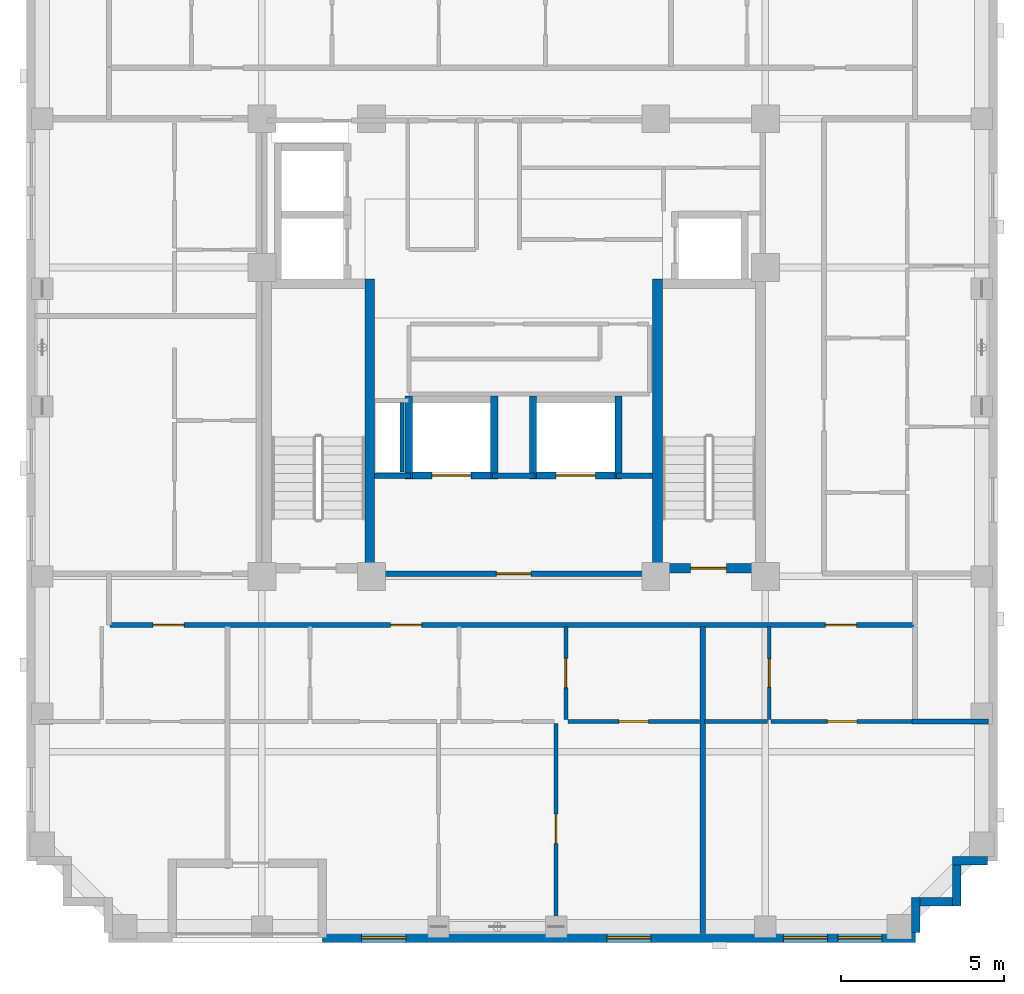
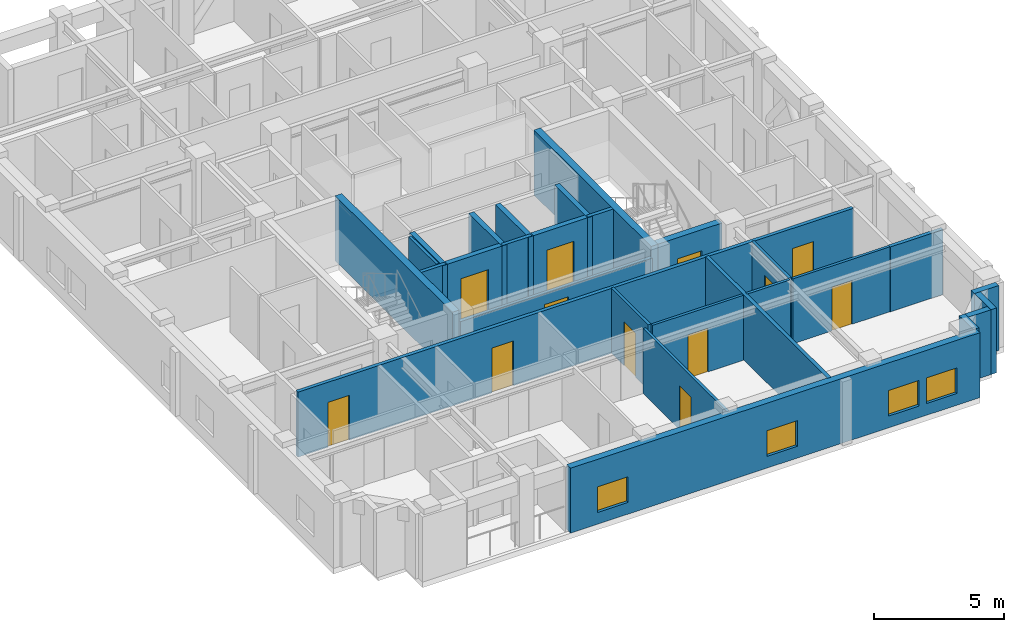
# One storey, part 3 of 10: 28 walls, 12 doors, 4 windows, 16 openings.
"""IFC4 building model written with IfcOpenShell, lengths in metres."""

from ifc_helpers import new_model, si_unit, derived_unit, direction, frame, frame_2d, origin, place, context, subcontext, project, spatial, rectangle, extrude, material, layer, layer_set, type_object, element, fill, save


model = new_model("IFC4")

# Units and contexts
model_context = context("Model", 3, precision=1e-05, world=origin(), true_north=direction((0.0, 1.0)))
body_context = subcontext(model_context, "Body", "Model", "MODEL_VIEW")
ifc_project = project(units=[si_unit("LENGTHUNIT", "METRE"), si_unit("AREAUNIT", "SQUARE_METRE"), si_unit("VOLUMEUNIT", "CUBIC_METRE"), si_unit("PLANEANGLEUNIT", "RADIAN"), si_unit("MASSUNIT", "GRAM", prefix="KILO"), derived_unit("THERMALTRANSMITTANCEUNIT", [(si_unit("MASSUNIT", "GRAM", prefix="KILO"), 1), (si_unit("TIMEUNIT", "SECOND"), -3), (si_unit("THERMODYNAMICTEMPERATUREUNIT", "KELVIN"), -1)])], contexts=[model_context])

# Site, building, storey
site_placement = place(None, origin())
site = spatial("IfcSite", under=ifc_project, at=site_placement, CompositionType="ELEMENT")
building_placement = place(site_placement, origin())
building = spatial("IfcBuilding", under=site, at=building_placement, Name="Korrvale Station Residences", CompositionType="ELEMENT")
storey_placement = place(building_placement, frame((0.0, 0.0, 200.800048828125)))
storey = spatial("IfcBuildingStorey", under=building, at=storey_placement, Name="L58", CompositionType="ELEMENT", Elevation=200.800048828125)

# Walls
ifc_material_1 = material(Name="Concrete C50/60", Category="concrete")
ifc_layer_1 = layer(ifc_material_1, 0.300048828125, Name="Concrete C50/60")
ifc_layer_set_1 = layer_set([ifc_layer_1], Name="Concrete C50/60")
wall_type_1 = type_object("IfcWallType", Name="WAL-CORE-300-C50", PredefinedType="SHEAR", material=ifc_layer_set_1)
for number, where, z_axis, x_axis, name in (
    (1, (21.10009765625, 15.10009765625, 0.0), (0.0, 0.0, 1.0), (0.0, 1.0, 0.0), "L58 ST-1 Core Shear Wall East"),
    (2, (29.89990234375, 15.10009765625, 0.0), (0.0, 0.0, 1.0), (0.0, 1.0, 0.0), "L58 ST-2 Core Shear Wall West"),
):
    element("IfcWall", number, at=place(storey_placement, frame(where, z_axis=z_axis, x_axis=x_axis)), inside=storey, type_object=wall_type_1, Name=name, PredefinedType="SHEAR", context=body_context, shape_type="SweptSolid", body=[
        extrude(rectangle(XDim=9.0, YDim=0.300048828125, at=frame_2d((4.5, 0.0))), origin(), (0.0, 0.0, 1.0), 3.0400390625),
    ])

# Wall, opening, door
wall_1_placement = place(storey_placement, frame((30.050048828125, 15.25, 0.0), z_axis=(0.0, 0.0, 1.0), x_axis=(1.0, 0.0, 0.0)))
wall_1 = element("IfcWall", 3, at=wall_1_placement, inside=storey, type_object=wall_type_1, Name="L58 ST-2 Core Shear Wall South", PredefinedType="SHEAR", context=body_context, shape_type="SweptSolid", body=[
    extrude(rectangle(XDim=2.849853515625, YDim=0.300048828125, at=frame_2d((1.4248046875, 0.0))), origin(), (0.0, 0.0, 1.0), 3.0400390625),
])
opening_1_placement = place(wall_1_placement, frame((0.860107421875, 0.0, 0.0)))
opening_1 = element("IfcOpeningElement", 4, at=opening_1_placement, cuts=wall_1, Name="Opening SD-1100", PredefinedType="OPENING", context=body_context, shape_type="SweptSolid", body=[
    extrude(rectangle(XDim=1.10009765625, YDim=2.050048828125, at=frame_2d((0.550048828125, 1.02490234375))), frame((0.0, 0.16015625, 0.0), z_axis=(0.0, -1.0, 0.0), x_axis=(1.0, 0.0, 0.0)), (0.0, 0.0, 1.0), 0.320068359375),
])
ifc_material_2 = material(Name="Hollow-metal fire-rated stair door with closer", Category="steel")
door_type_1 = type_object("IfcDoorType", Name="DR-STAIR-1100", OperationType="NOTDEFINED", PredefinedType="DOOR", material=ifc_material_2)
door_1_placement = place(opening_1_placement, origin())
door_1 = element("IfcDoor", 5, at=door_1_placement, inside=storey, type_object=door_type_1, Name="L58 ST-2 Exit Stair Door", OperationType="SINGLE_SWING_RIGHT", OverallHeight=2.050048828125, OverallWidth=1.10009765625, PredefinedType="DOOR", context=body_context, shape_type="SweptSolid", body=[
    extrude(rectangle(XDim=1.10009765625, YDim=2.050048828125, at=frame_2d((0.550048828125, 1.02490234375))), frame((0.0, 0.02490234375, 0.0), z_axis=(0.0, -1.0, 0.0), x_axis=(1.0, 0.0, 0.0)), (0.0, 0.0, 1.0), 0.050048828125),
])
fill(opening_1, door_1)

# Walls
ifc_material_3 = material(Name="Precast concrete C45/55", Category="concrete")
ifc_layer_2 = layer(ifc_material_3, 0.260009765625, Name="Precast concrete C45/55")
ifc_layer_set_2 = layer_set([ifc_layer_2], Name="Precast concrete C45/55")
wall_type_2 = type_object("IfcWallType", Name="WAL-EXT-LOG260", PredefinedType="SOLIDWALL", material=ifc_layer_set_2)
wall_2_placement = place(storey_placement, frame((39.998046875, 6.300048828125, 0.0), z_axis=(0.0, 0.0, 1.0), x_axis=(-1.0, 0.0, 0.0)))
element("IfcWall", 6, at=wall_2_placement, inside=storey, type_object=wall_type_2, Name="L58 Serrated Corner Precast Step SE-1", PredefinedType="SOLIDWALL", context=body_context, shape_type="SweptSolid", body=[
    extrude(rectangle(XDim=1.078125, YDim=0.260009765625, at=frame_2d((0.5390625, 0.0))), origin(), (0.0, 0.0, 1.0), 3.0400390625),
])
wall_3_placement = place(storey_placement, frame((39.050048828125, 6.16796875, 0.0), z_axis=(0.0, 0.0, 1.0), x_axis=(0.0, -1.0, 0.0)))
element("IfcWall", 7, at=wall_3_placement, inside=storey, type_object=wall_type_2, Name="L58 Serrated Corner Precast Step SE-2", PredefinedType="SOLIDWALL", context=body_context, shape_type="SweptSolid", body=[
    extrude(rectangle(XDim=1.248046875, YDim=0.260009765625, at=frame_2d((0.6240234375, 0.0))), origin(), (0.0, 0.0, 1.0), 3.0400390625),
])
wall_4_placement = place(storey_placement, frame((38.91796875, 5.050048828125, 0.0), z_axis=(0.0, 0.0, 1.0), x_axis=(-1.0, 0.0, 0.0)))
element("IfcWall", 8, at=wall_4_placement, inside=storey, type_object=wall_type_2, Name="L58 Serrated Corner Precast Step SE-3", PredefinedType="SOLIDWALL", context=body_context, shape_type="SweptSolid", body=[
    extrude(rectangle(XDim=0.986083984375, YDim=0.260009765625, at=frame_2d((0.4931640625, 0.0))), origin(), (0.0, 0.0, 1.0), 3.0400390625),
])
wall_5_placement = place(storey_placement, frame((37.800048828125, 5.179931640625, 0.0), z_axis=(0.0, 0.0, 1.0), x_axis=(0.0, -1.0, 0.0)))
element("IfcWall", 9, at=wall_5_placement, inside=storey, type_object=wall_type_2, Name="L58 Serrated Corner Precast Step SE-4", PredefinedType="SOLIDWALL", context=body_context, shape_type="SweptSolid", body=[
    extrude(rectangle(XDim=1.077880859375, YDim=0.260009765625, at=frame_2d((0.5390625, 0.0))), origin(), (0.0, 0.0, 1.0), 3.0400390625),
])

# Wall, openings, windows
ifc_layer_3 = layer(ifc_material_3, 0.300048828125, Name="Precast concrete C45/55")
ifc_layer_set_3 = layer_set([ifc_layer_3], Name="Precast concrete C45/55")
wall_type_3 = type_object("IfcWallType", Name="WAL-EXT-PC300", PredefinedType="SOLIDWALL", material=ifc_layer_set_3)
wall_6_placement = place(storey_placement, frame((37.800048828125, 3.949951171875, 0.0), z_axis=(0.0, 0.0, 1.0), x_axis=(-1.0, 0.0, 0.0)))
wall_6 = element("IfcWall", 10, at=wall_6_placement, inside=storey, type_object=wall_type_3, Name="L58 South Exterior Precast Wall 1", PredefinedType="SOLIDWALL", context=body_context, shape_type="SweptSolid", body=[
    extrude(rectangle(XDim=18.150146484375, YDim=0.300048828125, at=frame_2d((9.0751953125, 0.0))), origin(), (0.0, 0.0, 1.0), 3.0400390625),
])
opening_2_placement = place(wall_6_placement, frame((15.60009765625, 0.0, 0.550048828125)))
opening_2 = element("IfcOpeningElement", 11, at=opening_2_placement, cuts=wall_6, Name="Opening W-10", PredefinedType="OPENING", context=body_context, shape_type="SweptSolid", body=[
    extrude(rectangle(XDim=1.35009765625, YDim=1.199951171875, at=frame_2d((0.675048828125, 0.60009765625))), frame((0.0, 0.16015625, 0.0), z_axis=(0.0, -1.0, 0.0), x_axis=(1.0, 0.0, 0.0)), (0.0, 0.0, 1.0), 0.320068359375),
])
opening_3_placement = place(wall_6_placement, frame((8.10009765625, 0.0, 0.550048828125)))
opening_3 = element("IfcOpeningElement", 12, at=opening_3_placement, cuts=wall_6, Name="Opening W-10", PredefinedType="OPENING", context=body_context, shape_type="SweptSolid", body=[
    extrude(rectangle(XDim=1.35009765625, YDim=1.199951171875, at=frame_2d((0.675048828125, 0.60009765625))), frame((0.0, 0.16015625, 0.0), z_axis=(0.0, -1.0, 0.0), x_axis=(1.0, 0.0, 0.0)), (0.0, 0.0, 1.0), 0.320068359375),
])
opening_4_placement = place(wall_6_placement, frame((2.699951171875, 0.0, 0.550048828125)))
opening_4 = element("IfcOpeningElement", 13, at=opening_4_placement, cuts=wall_6, Name="Opening W-10", PredefinedType="OPENING", context=body_context, shape_type="SweptSolid", body=[
    extrude(rectangle(XDim=1.35009765625, YDim=1.199951171875, at=frame_2d((0.675048828125, 0.60009765625))), frame((0.0, 0.16015625, 0.0), z_axis=(0.0, -1.0, 0.0), x_axis=(1.0, 0.0, 0.0)), (0.0, 0.0, 1.0), 0.320068359375),
])
opening_5_placement = place(wall_6_placement, frame((1.034912109375, 0.0, 0.550048828125)))
opening_5 = element("IfcOpeningElement", 14, at=opening_5_placement, cuts=wall_6, Name="Opening W-10", PredefinedType="OPENING", context=body_context, shape_type="SweptSolid", body=[
    extrude(rectangle(XDim=1.35009765625, YDim=1.199951171875, at=frame_2d((0.675048828125, 0.60009765625))), frame((0.0, 0.16015625, 0.0), z_axis=(0.0, -1.0, 0.0), x_axis=(1.0, 0.0, 0.0)), (0.0, 0.0, 1.0), 0.320068359375),
])
ifc_material_4 = material(Name="Thermally broken aluminium frame with triple low-e glazing", Category="aluminium")
window_type = type_object("IfcWindowType", Name="WIN-W10", PartitioningType="SINGLE_PANEL", PredefinedType="WINDOW", material=ifc_material_4)
window_1_placement = place(opening_2_placement, origin())
window_1 = element("IfcWindow", 15, at=window_1_placement, inside=storey, type_object=window_type, Name="L58 Punched Window 02", OverallHeight=1.199951171875, OverallWidth=1.35009765625, PartitioningType="SINGLE_PANEL", PredefinedType="WINDOW", context=body_context, shape_type="SweptSolid", body=[
    extrude(rectangle(XDim=1.35009765625, YDim=1.199951171875, at=frame_2d((0.675048828125, 0.60009765625))), frame((0.0, 0.030029296875, 0.0), z_axis=(0.0, -1.0, 0.0), x_axis=(1.0, 0.0, 0.0)), (0.0, 0.0, 1.0), 0.06005859375),
])
fill(opening_2, window_1)
window_2_placement = place(opening_3_placement, origin())
window_2 = element("IfcWindow", 16, at=window_2_placement, inside=storey, type_object=window_type, Name="L58 Punched Window 03", OverallHeight=1.199951171875, OverallWidth=1.35009765625, PartitioningType="SINGLE_PANEL", PredefinedType="WINDOW", context=body_context, shape_type="SweptSolid", body=[
    extrude(rectangle(XDim=1.35009765625, YDim=1.199951171875, at=frame_2d((0.675048828125, 0.60009765625))), frame((0.0, 0.030029296875, 0.0), z_axis=(0.0, -1.0, 0.0), x_axis=(1.0, 0.0, 0.0)), (0.0, 0.0, 1.0), 0.06005859375),
])
fill(opening_3, window_2)
window_3_placement = place(opening_4_placement, origin())
window_3 = element("IfcWindow", 17, at=window_3_placement, inside=storey, type_object=window_type, Name="L58 Punched Window 04", OverallHeight=1.199951171875, OverallWidth=1.35009765625, PartitioningType="SINGLE_PANEL", PredefinedType="WINDOW", context=body_context, shape_type="SweptSolid", body=[
    extrude(rectangle(XDim=1.35009765625, YDim=1.199951171875, at=frame_2d((0.675048828125, 0.60009765625))), frame((0.0, 0.030029296875, 0.0), z_axis=(0.0, -1.0, 0.0), x_axis=(1.0, 0.0, 0.0)), (0.0, 0.0, 1.0), 0.06005859375),
])
fill(opening_4, window_3)
window_4_placement = place(opening_5_placement, origin())
window_4 = element("IfcWindow", 18, at=window_4_placement, inside=storey, type_object=window_type, Name="L58 Punched Window 05", OverallHeight=1.199951171875, OverallWidth=1.35009765625, PartitioningType="SINGLE_PANEL", PredefinedType="WINDOW", context=body_context, shape_type="SweptSolid", body=[
    extrude(rectangle(XDim=1.35009765625, YDim=1.199951171875, at=frame_2d((0.675048828125, 0.60009765625))), frame((0.0, 0.030029296875, 0.0), z_axis=(0.0, -1.0, 0.0), x_axis=(1.0, 0.0, 0.0)), (0.0, 0.0, 1.0), 0.06005859375),
])
fill(opening_5, window_4)

# Wall
ifc_material_5 = material(Name="Acoustic steel-stud gypsum board partition", Category="steel")
ifc_layer_4 = layer(ifc_material_5, 0.1201171875, Name="Acoustic steel-stud gypsum board partition")
ifc_layer_set_4 = layer_set([ifc_layer_4], Name="Acoustic steel-stud gypsum board partition")
wall_type_4 = type_object("IfcWallType", Name="WAL-PART-125", PredefinedType="PARTITIONING", material=ifc_layer_set_4)
wall_7_placement = place(storey_placement, frame((22.080078125, 18.199951171875, 0.0), z_axis=(0.0, 0.0, 1.0), x_axis=(0.0, 1.0, 0.0)))
element("IfcWall", 19, at=wall_7_placement, inside=storey, type_object=wall_type_4, Name="L58 Core Partition CW-RSWT", PredefinedType="PARTITIONING", context=body_context, shape_type="SweptSolid", body=[
    extrude(rectangle(XDim=2.1201171875, YDim=0.1201171875, at=frame_2d((1.06005859375, 0.0))), origin(), (0.0, 0.0, 1.0), 3.0400390625),
])

# Wall, opening, door
wall_8_placement = place(storey_placement, frame((27.095947265625, 10.6201171875, 0.0), z_axis=(0.0, 0.0, 1.0), x_axis=(0.0, 1.0, 0.0)))
wall_8 = element("IfcWall", 20, at=wall_8_placement, inside=storey, type_object=wall_type_4, Name="L58 Suite Partition U02-V23", PredefinedType="PARTITIONING", context=body_context, shape_type="SweptSolid", body=[
    extrude(rectangle(XDim=2.849853515625, YDim=0.1201171875, at=frame_2d((1.4248046875, 0.0))), origin(), (0.0, 0.0, 1.0), 3.0400390625),
])
opening_6_placement = place(wall_8_placement, frame((0.97509765625, 0.0, 0.0)))
opening_6 = element("IfcOpeningElement", 21, at=opening_6_placement, cuts=wall_8, Name="Opening DI-900", PredefinedType="OPENING", context=body_context, shape_type="SweptSolid", body=[
    extrude(rectangle(XDim=0.89990234375, YDim=2.050048828125, at=frame_2d((0.449951171875, 1.02490234375))), frame((0.0, 0.070068359375, 0.0), z_axis=(0.0, -1.0, 0.0), x_axis=(1.0, 0.0, 0.0)), (0.0, 0.0, 1.0), 0.14013671875),
])
ifc_material_6 = material(Name="Painted solid-core timber interior room door", Category="wood")
door_type_2 = type_object("IfcDoorType", Name="DR-INT-900", OperationType="NOTDEFINED", PredefinedType="DOOR", material=ifc_material_6)
door_2_placement = place(opening_6_placement, origin())
door_2 = element("IfcDoor", 22, at=door_2_placement, inside=storey, type_object=door_type_2, Name="L58 Apartment 1BR L58-U02 Home Study Room Door", OperationType="SINGLE_SWING_RIGHT", OverallHeight=2.050048828125, OverallWidth=0.89990234375, PredefinedType="DOOR", context=body_context, shape_type="SweptSolid", body=[
    extrude(rectangle(XDim=0.89990234375, YDim=2.050048828125, at=frame_2d((0.449951171875, 1.02490234375))), frame((0.0, 0.02490234375, 0.0), z_axis=(0.0, -1.0, 0.0), x_axis=(1.0, 0.0, 0.0)), (0.0, 0.0, 1.0), 0.050048828125),
])
fill(opening_6, door_2)

wall_9_placement = place(storey_placement, frame((27.156005859375, 10.56005859375, 0.0), z_axis=(0.0, 0.0, 1.0), x_axis=(1.0, 0.0, 0.0)))
wall_9 = element("IfcWall", 23, at=wall_9_placement, inside=storey, type_object=wall_type_4, Name="L58 Suite Partition U02-H36", PredefinedType="PARTITIONING", context=body_context, shape_type="SweptSolid", body=[
    extrude(rectangle(XDim=4.030029296875, YDim=0.1201171875, at=frame_2d((2.01513671875, 0.0))), origin(), (0.0, 0.0, 1.0), 3.0400390625),
])
opening_7_placement = place(wall_9_placement, frame((1.56494140625, 0.0, 0.0)))
opening_7 = element("IfcOpeningElement", 24, at=opening_7_placement, cuts=wall_9, Name="Opening DI-900", PredefinedType="OPENING", context=body_context, shape_type="SweptSolid", body=[
    extrude(rectangle(XDim=0.89990234375, YDim=2.050048828125, at=frame_2d((0.449951171875, 1.02490234375))), frame((0.0, 0.070068359375, 0.0), z_axis=(0.0, -1.0, 0.0), x_axis=(1.0, 0.0, 0.0)), (0.0, 0.0, 1.0), 0.14013671875),
])
door_3_placement = place(opening_7_placement, origin())
door_3 = element("IfcDoor", 25, at=door_3_placement, inside=storey, type_object=door_type_2, Name="L58 Apartment 1BR L58-U02 Home Study Room Door", OperationType="SINGLE_SWING_RIGHT", OverallHeight=2.050048828125, OverallWidth=0.89990234375, PredefinedType="DOOR", context=body_context, shape_type="SweptSolid", body=[
    extrude(rectangle(XDim=0.89990234375, YDim=2.050048828125, at=frame_2d((0.449951171875, 1.02490234375))), frame((0.0, 0.02490234375, 0.0), z_axis=(0.0, -1.0, 0.0), x_axis=(1.0, 0.0, 0.0)), (0.0, 0.0, 1.0), 0.050048828125),
])
fill(opening_7, door_3)

wall_10_placement = place(storey_placement, frame((26.800048828125, 4.080078125, 0.0), z_axis=(0.0, 0.0, 1.0), x_axis=(0.0, 1.0, 0.0)))
wall_10 = element("IfcWall", 26, at=wall_10_placement, inside=storey, type_object=wall_type_4, Name="L58 Suite Partition U02-V56", PredefinedType="PARTITIONING", context=body_context, shape_type="SweptSolid", body=[
    extrude(rectangle(XDim=6.419921875, YDim=0.1201171875, at=frame_2d((3.2099609375, 0.0))), origin(), (0.0, 0.0, 1.0), 3.0400390625),
])
opening_8_placement = place(wall_10_placement, frame((2.7451171875, 0.0, 0.0)))
opening_8 = element("IfcOpeningElement", 27, at=opening_8_placement, cuts=wall_10, Name="Opening DI-900", PredefinedType="OPENING", context=body_context, shape_type="SweptSolid", body=[
    extrude(rectangle(XDim=0.89990234375, YDim=2.050048828125, at=frame_2d((0.449951171875, 1.02490234375))), frame((0.0, 0.070068359375, 0.0), z_axis=(0.0, -1.0, 0.0), x_axis=(1.0, 0.0, 0.0)), (0.0, 0.0, 1.0), 0.14013671875),
])
door_4_placement = place(opening_8_placement, origin())
door_4 = element("IfcDoor", 28, at=door_4_placement, inside=storey, type_object=door_type_2, Name="L58 Apartment 1BR L58-U02 Wardrobe Storage Room Door", OperationType="SINGLE_SWING_RIGHT", OverallHeight=2.050048828125, OverallWidth=0.89990234375, PredefinedType="DOOR", context=body_context, shape_type="SweptSolid", body=[
    extrude(rectangle(XDim=0.89990234375, YDim=2.050048828125, at=frame_2d((0.449951171875, 1.02490234375))), frame((0.0, 0.02490234375, 0.0), z_axis=(0.0, -1.0, 0.0), x_axis=(1.0, 0.0, 0.0)), (0.0, 0.0, 1.0), 0.050048828125),
])
fill(opening_8, door_4)

wall_11_placement = place(storey_placement, frame((33.318115234375, 10.6201171875, 0.0), z_axis=(0.0, 0.0, 1.0), x_axis=(0.0, 1.0, 0.0)))
wall_11 = element("IfcWall", 29, at=wall_11_placement, inside=storey, type_object=wall_type_4, Name="L58 Suite Partition U03-V01", PredefinedType="PARTITIONING", context=body_context, shape_type="SweptSolid", body=[
    extrude(rectangle(XDim=2.849853515625, YDim=0.1201171875, at=frame_2d((1.4248046875, 0.0))), origin(), (0.0, 0.0, 1.0), 3.0400390625),
])
opening_9_placement = place(wall_11_placement, frame((0.9951171875, 0.0, 0.0)))
opening_9 = element("IfcOpeningElement", 30, at=opening_9_placement, cuts=wall_11, Name="Opening DB-860", PredefinedType="OPENING", context=body_context, shape_type="SweptSolid", body=[
    extrude(rectangle(XDim=0.860107421875, YDim=2.050048828125, at=frame_2d((0.43017578125, 1.02490234375))), frame((0.0, 0.070068359375, 0.0), z_axis=(0.0, -1.0, 0.0), x_axis=(1.0, 0.0, 0.0)), (0.0, 0.0, 1.0), 0.14013671875),
])
ifc_material_7 = material(Name="Moisture-resistant solid-core bathroom door", Category="timber")
door_type_3 = type_object("IfcDoorType", Name="DR-BATH-860", OperationType="NOTDEFINED", PredefinedType="DOOR", material=ifc_material_7)
door_5_placement = place(opening_9_placement, origin())
door_5 = element("IfcDoor", 31, at=door_5_placement, inside=storey, type_object=door_type_3, Name="L58 Studio Apartment L58-U03 Bathroom Door", OperationType="SINGLE_SWING_LEFT", OverallHeight=2.050048828125, OverallWidth=0.860107421875, PredefinedType="DOOR", context=body_context, shape_type="SweptSolid", body=[
    extrude(rectangle(XDim=0.860107421875, YDim=2.050048828125, at=frame_2d((0.43017578125, 1.02490234375))), frame((0.0, 0.02490234375, 0.0), z_axis=(0.0, -1.0, 0.0), x_axis=(1.0, 0.0, 0.0)), (0.0, 0.0, 1.0), 0.050048828125),
])
fill(opening_9, door_5)

# Wall
wall_12_placement = place(storey_placement, frame((31.345947265625, 10.56005859375, 0.0), z_axis=(0.0, 0.0, 1.0), x_axis=(1.0, 0.0, 0.0)))
element("IfcWall", 32, at=wall_12_placement, inside=storey, type_object=wall_type_4, Name="L58 Suite Partition U03-H02", PredefinedType="PARTITIONING", context=body_context, shape_type="SweptSolid", body=[
    extrude(rectangle(XDim=1.912109375, YDim=0.1201171875, at=frame_2d((0.9560546875, 0.0))), origin(), (0.0, 0.0, 1.0), 3.0400390625),
])

# Wall, opening, door
wall_13_placement = place(storey_placement, frame((33.3779296875, 10.56005859375, 0.0), z_axis=(0.0, 0.0, 1.0), x_axis=(1.0, 0.0, 0.0)))
wall_13 = element("IfcWall", 33, at=wall_13_placement, inside=storey, type_object=wall_type_4, Name="L58 Suite Partition U03-H12", PredefinedType="PARTITIONING", context=body_context, shape_type="SweptSolid", body=[
    extrude(rectangle(XDim=4.342041015625, YDim=0.1201171875, at=frame_2d((2.1708984375, 0.0))), origin(), (0.0, 0.0, 1.0), 3.0400390625),
])
opening_10_placement = place(wall_13_placement, frame((1.720947265625, 0.0, 0.0)))
opening_10 = element("IfcOpeningElement", 34, at=opening_10_placement, cuts=wall_13, Name="Opening DI-900", PredefinedType="OPENING", context=body_context, shape_type="SweptSolid", body=[
    extrude(rectangle(XDim=0.89990234375, YDim=2.050048828125, at=frame_2d((0.449951171875, 1.02490234375))), frame((0.0, 0.070068359375, 0.0), z_axis=(0.0, -1.0, 0.0), x_axis=(1.0, 0.0, 0.0)), (0.0, 0.0, 1.0), 0.14013671875),
])
door_6_placement = place(opening_10_placement, origin())
door_6 = element("IfcDoor", 35, at=door_6_placement, inside=storey, type_object=door_type_2, Name="L58 Studio Apartment L58-U03 Kitchen Door", OperationType="SINGLE_SWING_RIGHT", OverallHeight=2.050048828125, OverallWidth=0.89990234375, PredefinedType="DOOR", context=body_context, shape_type="SweptSolid", body=[
    extrude(rectangle(XDim=0.89990234375, YDim=2.050048828125, at=frame_2d((0.449951171875, 1.02490234375))), frame((0.0, 0.02490234375, 0.0), z_axis=(0.0, -1.0, 0.0), x_axis=(1.0, 0.0, 0.0)), (0.0, 0.0, 1.0), 0.050048828125),
])
fill(opening_10, door_6)

ifc_material_8 = material(Name="Fire-rated twin-stud gypsum and mineral wool shaftwall assembly", Category="gypsum")
ifc_layer_5 = layer(ifc_material_8, 0.159912109375, Name="Fire-rated twin-stud gypsum and mineral wool shaftwall assembly")
ifc_layer_set_5 = layer_set([ifc_layer_5], Name="Fire-rated twin-stud gypsum and mineral wool shaftwall assembly")
wall_type_5 = type_object("IfcWallType", Name="WAL-PART-200", PredefinedType="PARTITIONING", material=ifc_layer_set_5)
wall_14_placement = place(storey_placement, frame((21.25, 15.080078125, 0.0), z_axis=(0.0, 0.0, 1.0), x_axis=(1.0, 0.0, 0.0)))
wall_14 = element("IfcWall", 36, at=wall_14_placement, inside=storey, type_object=wall_type_5, Name="L58 Core Partition CW-FFL-S", PredefinedType="PARTITIONING", context=body_context, shape_type="SweptSolid", body=[
    extrude(rectangle(XDim=8.5, YDim=0.159912109375, at=frame_2d((4.25, 0.0))), origin(), (0.0, 0.0, 1.0), 2.555908203125),
])
opening_11_placement = place(wall_14_placement, frame((3.72509765625, 0.0, 0.0)))
opening_11 = element("IfcOpeningElement", 37, at=opening_11_placement, cuts=wall_14, Name="Opening FD-1050", PredefinedType="OPENING", context=body_context, shape_type="SweptSolid", body=[
    extrude(rectangle(XDim=1.050048828125, YDim=2.050048828125, at=frame_2d((0.52490234375, 1.02490234375))), frame((0.0, 0.08984375, 0.0), z_axis=(0.0, -1.0, 0.0), x_axis=(1.0, 0.0, 0.0)), (0.0, 0.0, 1.0), 0.179931640625),
])
ifc_material_9 = material(Name="Fire-rated mineral-core timber lobby door", Category="wood")
door_type_4 = type_object("IfcDoorType", Name="DR-CORE-1050", OperationType="NOTDEFINED", PredefinedType="DOOR", material=ifc_material_9)
door_7_placement = place(opening_11_placement, origin())
door_7 = element("IfcDoor", 38, at=door_7_placement, inside=storey, type_object=door_type_4, Name="L58 Firefighting Lobby Entry Door", OperationType="SINGLE_SWING_RIGHT", OverallHeight=2.050048828125, OverallWidth=1.050048828125, PredefinedType="DOOR", context=body_context, shape_type="SweptSolid", body=[
    extrude(rectangle(XDim=1.050048828125, YDim=2.050048828125, at=frame_2d((0.52490234375, 1.02490234375))), frame((0.0, 0.02490234375, 0.0), z_axis=(0.0, -1.0, 0.0), x_axis=(1.0, 0.0, 0.0)), (0.0, 0.0, 1.0), 0.050048828125),
])
fill(opening_11, door_7)

# Walls
wall_15_placement = place(storey_placement, frame((21.25, 18.080078125, 0.0), z_axis=(0.0, 0.0, 1.0), x_axis=(1.0, 0.0, 0.0)))
element("IfcWall", 39, at=wall_15_placement, inside=storey, type_object=wall_type_5, Name="L58 Core Partition CW-FFL-N1", PredefinedType="PARTITIONING", context=body_context, shape_type="SweptSolid", body=[
    extrude(rectangle(XDim=1.10009765625, YDim=0.159912109375, at=frame_2d((0.550048828125, 0.0))), origin(), (0.0, 0.0, 1.0), 3.0400390625),
])
wall_16_placement = place(storey_placement, frame((24.85009765625, 18.080078125, 0.0), z_axis=(0.0, 0.0, 1.0), x_axis=(1.0, 0.0, 0.0)))
element("IfcWall", 40, at=wall_16_placement, inside=storey, type_object=wall_type_5, Name="L58 Core Partition CW-FFL-N2", PredefinedType="PARTITIONING", context=body_context, shape_type="SweptSolid", body=[
    extrude(rectangle(XDim=1.2998046875, YDim=0.159912109375, at=frame_2d((0.64990234375, 0.0))), origin(), (0.0, 0.0, 1.0), 3.0400390625),
])
wall_17_placement = place(storey_placement, frame((28.64990234375, 18.080078125, 0.0), z_axis=(0.0, 0.0, 1.0), x_axis=(1.0, 0.0, 0.0)))
element("IfcWall", 41, at=wall_17_placement, inside=storey, type_object=wall_type_5, Name="L58 Core Partition CW-FFL-N3", PredefinedType="PARTITIONING", context=body_context, shape_type="SweptSolid", body=[
    extrude(rectangle(XDim=1.10009765625, YDim=0.159912109375, at=frame_2d((0.550048828125, 0.0))), origin(), (0.0, 0.0, 1.0), 3.0400390625),
])
wall_18_placement = place(storey_placement, frame((37.679931640625, 10.56005859375, 0.0), z_axis=(0.0, 0.0, 1.0), x_axis=(1.0, 0.0, 0.0)))
element("IfcWall", 42, at=wall_18_placement, inside=storey, type_object=wall_type_5, Name="L58 Corner Step Wall U03-R", PredefinedType="PARTITIONING", context=body_context, shape_type="SweptSolid", body=[
    extrude(rectangle(XDim=2.340087890625, YDim=0.159912109375, at=frame_2d((1.169921875, 0.0))), origin(), (0.0, 0.0, 1.0), 3.0400390625),
])
wall_19_placement = place(storey_placement, frame((31.285888671875, 4.080078125, 0.0), z_axis=(0.0, 0.0, 1.0), x_axis=(0.0, 1.0, 0.0)))
element("IfcWall", 43, at=wall_19_placement, inside=storey, type_object=wall_type_5, Name="L58 Demising Wall U03-W", PredefinedType="PARTITIONING", context=body_context, shape_type="SweptSolid", body=[
    extrude(rectangle(XDim=9.389892578125, YDim=0.159912109375, at=frame_2d((4.69482421875, 0.0))), origin(), (0.0, 0.0, 1.0), 3.0400390625),
])

# Wall, openings, doors
wall_20_placement = place(storey_placement, frame((13.14990234375, 13.510009765625, 0.0), z_axis=(0.0, 0.0, 1.0), x_axis=(1.0, 0.0, 0.0)))
wall_20 = element("IfcWall", 44, at=wall_20_placement, inside=storey, type_object=wall_type_5, Name="L58 Rated Corridor Wall S", PredefinedType="PARTITIONING", context=body_context, shape_type="SweptSolid", body=[
    extrude(rectangle(XDim=24.60009765625, YDim=0.159912109375, at=frame_2d((12.300048828125, 0.0))), origin(), (0.0, 0.0, 1.0), 3.0400390625),
])
opening_12_placement = place(wall_20_placement, frame((1.322998046875, 0.0, 0.0)))
opening_12 = element("IfcOpeningElement", 45, at=opening_12_placement, cuts=wall_20, Name="Opening UD-950", PredefinedType="OPENING", context=body_context, shape_type="SweptSolid", body=[
    extrude(rectangle(XDim=0.949951171875, YDim=2.10009765625, at=frame_2d((0.47509765625, 1.050048828125))), frame((0.0, 0.08984375, 0.0), z_axis=(0.0, -1.0, 0.0), x_axis=(1.0, 0.0, 0.0)), (0.0, 0.0, 1.0), 0.179931640625),
])
opening_13_placement = place(wall_20_placement, frame((8.5849609375, 0.0, 0.0)))
opening_13 = element("IfcOpeningElement", 46, at=opening_13_placement, cuts=wall_20, Name="Opening UD-950", PredefinedType="OPENING", context=body_context, shape_type="SweptSolid", body=[
    extrude(rectangle(XDim=0.949951171875, YDim=2.10009765625, at=frame_2d((0.47509765625, 1.050048828125))), frame((0.0, 0.08984375, 0.0), z_axis=(0.0, -1.0, 0.0), x_axis=(1.0, 0.0, 0.0)), (0.0, 0.0, 1.0), 0.179931640625),
])
opening_14_placement = place(wall_20_placement, frame((21.888916015625, 0.0, 0.0)))
opening_14 = element("IfcOpeningElement", 47, at=opening_14_placement, cuts=wall_20, Name="Opening UD-950", PredefinedType="OPENING", context=body_context, shape_type="SweptSolid", body=[
    extrude(rectangle(XDim=0.949951171875, YDim=2.10009765625, at=frame_2d((0.47509765625, 1.050048828125))), frame((0.0, 0.08984375, 0.0), z_axis=(0.0, -1.0, 0.0), x_axis=(1.0, 0.0, 0.0)), (0.0, 0.0, 1.0), 0.179931640625),
])
ifc_material_10 = material(Name="Solid-core acoustic oak apartment entrance door", Category="timber")
door_type_5 = type_object("IfcDoorType", Name="DR-UNIT-950", OperationType="NOTDEFINED", PredefinedType="DOOR", material=ifc_material_10)
door_8_placement = place(opening_12_placement, origin())
door_8 = element("IfcDoor", 48, at=door_8_placement, inside=storey, type_object=door_type_5, Name="L58 Apartment L58-U01 Entrance Door", OperationType="SINGLE_SWING_LEFT", OverallHeight=2.10009765625, OverallWidth=0.949951171875, PredefinedType="DOOR", context=body_context, shape_type="SweptSolid", body=[
    extrude(rectangle(XDim=0.949951171875, YDim=2.10009765625, at=frame_2d((0.47509765625, 1.050048828125))), frame((0.0, 0.02490234375, 0.0), z_axis=(0.0, -1.0, 0.0), x_axis=(1.0, 0.0, 0.0)), (0.0, 0.0, 1.0), 0.050048828125),
])
fill(opening_12, door_8)
door_9_placement = place(opening_13_placement, origin())
door_9 = element("IfcDoor", 49, at=door_9_placement, inside=storey, type_object=door_type_5, Name="L58 Apartment L58-U02 Entrance Door", OperationType="SINGLE_SWING_RIGHT", OverallHeight=2.10009765625, OverallWidth=0.949951171875, PredefinedType="DOOR", context=body_context, shape_type="SweptSolid", body=[
    extrude(rectangle(XDim=0.949951171875, YDim=2.10009765625, at=frame_2d((0.47509765625, 1.050048828125))), frame((0.0, 0.02490234375, 0.0), z_axis=(0.0, -1.0, 0.0), x_axis=(1.0, 0.0, 0.0)), (0.0, 0.0, 1.0), 0.050048828125),
])
fill(opening_13, door_9)
door_10_placement = place(opening_14_placement, origin())
door_10 = element("IfcDoor", 50, at=door_10_placement, inside=storey, type_object=door_type_5, Name="L58 Apartment L58-U03 Entrance Door", OperationType="SINGLE_SWING_LEFT", OverallHeight=2.10009765625, OverallWidth=0.949951171875, PredefinedType="DOOR", context=body_context, shape_type="SweptSolid", body=[
    extrude(rectangle(XDim=0.949951171875, YDim=2.10009765625, at=frame_2d((0.47509765625, 1.050048828125))), frame((0.0, 0.02490234375, 0.0), z_axis=(0.0, -1.0, 0.0), x_axis=(1.0, 0.0, 0.0)), (0.0, 0.0, 1.0), 0.050048828125),
])
fill(opening_14, door_10)

# Wall, opening, door
ifc_layer_6 = layer(ifc_material_1, 0.219970703125, Name="Concrete C50/60")
ifc_layer_set_6 = layer_set([ifc_layer_6], Name="Concrete C50/60")
wall_type_6 = type_object("IfcWallType", Name="WAL-SHAFT-220-C50", PredefinedType="SHEAR", material=ifc_layer_set_6)
wall_21_placement = place(storey_placement, frame((22.39990234375, 18.090087890625, 0.0), z_axis=(0.0, 0.0, 1.0), x_axis=(1.0, 0.0, 0.0)))
wall_21 = element("IfcWall", 51, at=wall_21_placement, inside=storey, type_object=wall_type_6, Name="L58 Elevator FFL-1 Hoistway Wall South", PredefinedType="SHEAR", context=body_context, shape_type="SweptSolid", body=[
    extrude(rectangle(XDim=2.400146484375, YDim=0.219970703125, at=frame_2d((1.2001953125, 0.0))), origin(), (0.0, 0.0, 1.0), 3.0400390625),
])
opening_15_placement = place(wall_21_placement, frame((0.60009765625, 0.0, 0.0)))
opening_15 = element("IfcOpeningElement", 52, at=opening_15_placement, cuts=wall_21, Name="Opening LD-FF1200", PredefinedType="OPENING", context=body_context, shape_type="SweptSolid", body=[
    extrude(rectangle(XDim=1.199951171875, YDim=2.14990234375, at=frame_2d((0.60009765625, 1.074951171875))), frame((0.0, 0.1201171875, 0.0), z_axis=(0.0, -1.0, 0.0), x_axis=(1.0, 0.0, 0.0)), (0.0, 0.0, 1.0), 0.239990234375),
])
ifc_material_11 = material(Name="Stainless-steel firefighter elevator landing sliding door", Category="steel")
door_type_6 = type_object("IfcDoorType", Name="DR-LIFT-FF1200", OperationType="SLIDING_TO_LEFT", PredefinedType="DOOR", material=ifc_material_11)
door_11_placement = place(opening_15_placement, origin())
door_11 = element("IfcDoor", 53, at=door_11_placement, inside=storey, type_object=door_type_6, Name="L58 Elevator FFL-1 Sliding Landing Door", OperationType="SLIDING_TO_LEFT", OverallHeight=2.14990234375, OverallWidth=1.199951171875, PredefinedType="DOOR", context=body_context, shape_type="SweptSolid", body=[
    extrude(rectangle(XDim=1.199951171875, YDim=2.14990234375, at=frame_2d((0.60009765625, 1.074951171875))), frame((0.0, 0.02490234375, 0.0), z_axis=(0.0, -1.0, 0.0), x_axis=(1.0, 0.0, 0.0)), (0.0, 0.0, 1.0), 0.050048828125),
])
fill(opening_15, door_11)

# Walls
for number, where, z_axis, x_axis, name in (
    (54, (22.2900390625, 17.97998046875, 0.0), (0.0, 0.0, 1.0), (0.0, 1.0, 0.0), "L58 Elevator FFL-1 Hoistway Wall West"),
    (55, (24.909912109375, 17.97998046875, 0.0), (0.0, 0.0, 1.0), (0.0, 1.0, 0.0), "L58 Elevator FFL-1 Hoistway Wall East"),
):
    element("IfcWall", number, at=place(storey_placement, frame(where, z_axis=z_axis, x_axis=x_axis)), inside=storey, type_object=wall_type_6, Name=name, PredefinedType="SHEAR", context=body_context, shape_type="SweptSolid", body=[
        extrude(rectangle(XDim=2.5400390625, YDim=0.219970703125, at=frame_2d((1.27001953125, 0.0))), origin(), (0.0, 0.0, 1.0), 3.0400390625),
    ])

# Wall, opening, door
wall_22_placement = place(storey_placement, frame((26.199951171875, 18.090087890625, 0.0), z_axis=(0.0, 0.0, 1.0), x_axis=(1.0, 0.0, 0.0)))
wall_22 = element("IfcWall", 56, at=wall_22_placement, inside=storey, type_object=wall_type_6, Name="L58 Elevator FFL-2 Hoistway Wall South", PredefinedType="SHEAR", context=body_context, shape_type="SweptSolid", body=[
    extrude(rectangle(XDim=2.400146484375, YDim=0.219970703125, at=frame_2d((1.2001953125, 0.0))), origin(), (0.0, 0.0, 1.0), 3.0400390625),
])
opening_16_placement = place(wall_22_placement, frame((0.60009765625, 0.0, 0.0)))
opening_16 = element("IfcOpeningElement", 57, at=opening_16_placement, cuts=wall_22, Name="Opening LD-FF1200", PredefinedType="OPENING", context=body_context, shape_type="SweptSolid", body=[
    extrude(rectangle(XDim=1.199951171875, YDim=2.14990234375, at=frame_2d((0.60009765625, 1.074951171875))), frame((0.0, 0.1201171875, 0.0), z_axis=(0.0, -1.0, 0.0), x_axis=(1.0, 0.0, 0.0)), (0.0, 0.0, 1.0), 0.239990234375),
])
door_12_placement = place(opening_16_placement, origin())
door_12 = element("IfcDoor", 58, at=door_12_placement, inside=storey, type_object=door_type_6, Name="L58 Elevator FFL-2 Sliding Landing Door", OperationType="SLIDING_TO_LEFT", OverallHeight=2.14990234375, OverallWidth=1.199951171875, PredefinedType="DOOR", context=body_context, shape_type="SweptSolid", body=[
    extrude(rectangle(XDim=1.199951171875, YDim=2.14990234375, at=frame_2d((0.60009765625, 1.074951171875))), frame((0.0, 0.02490234375, 0.0), z_axis=(0.0, -1.0, 0.0), x_axis=(1.0, 0.0, 0.0)), (0.0, 0.0, 1.0), 0.050048828125),
])
fill(opening_16, door_12)

# Walls
for number, where, z_axis, x_axis, name in (
    (59, (26.090087890625, 17.97998046875, 0.0), (0.0, 0.0, 1.0), (0.0, 1.0, 0.0), "L58 Elevator FFL-2 Hoistway Wall West"),
    (60, (28.7099609375, 17.97998046875, 0.0), (0.0, 0.0, 1.0), (0.0, 1.0, 0.0), "L58 Elevator FFL-2 Hoistway Wall East"),
):
    element("IfcWall", number, at=place(storey_placement, frame(where, z_axis=z_axis, x_axis=x_axis)), inside=storey, type_object=wall_type_6, Name=name, PredefinedType="SHEAR", context=body_context, shape_type="SweptSolid", body=[
        extrude(rectangle(XDim=2.5400390625, YDim=0.219970703125, at=frame_2d((1.27001953125, 0.0))), origin(), (0.0, 0.0, 1.0), 3.0400390625),
    ])

save(model, "model.ifc")
